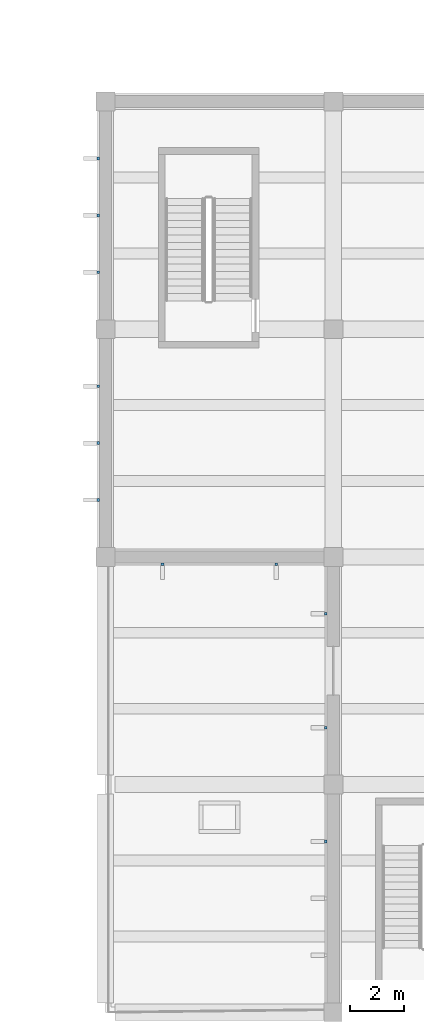
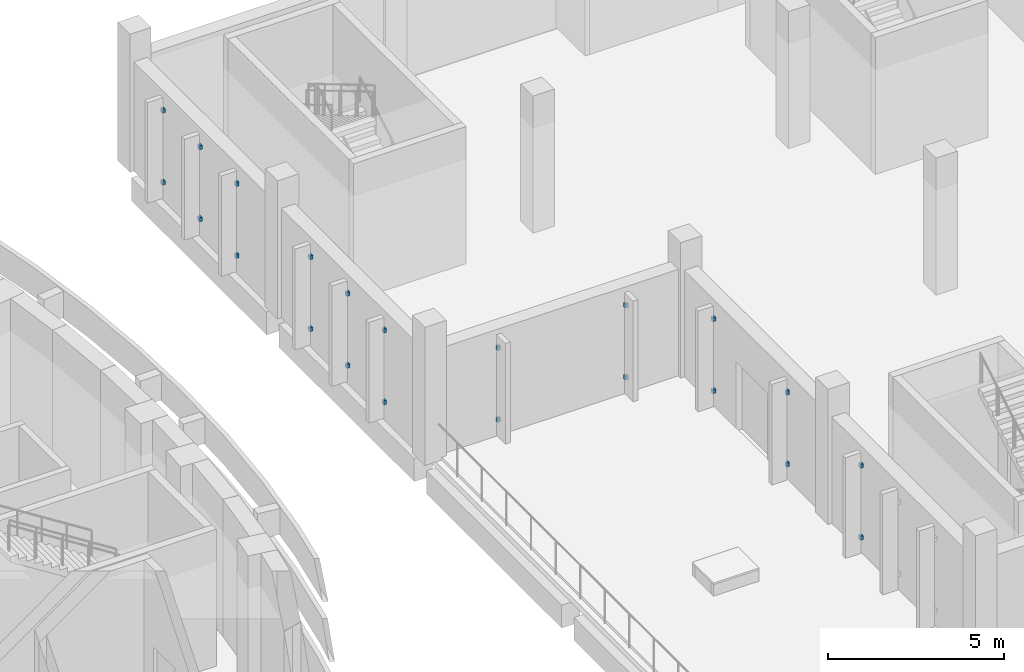
# One storey, part 75 of 103: 22 discrete accessories.
"""IFC4 building model written with IfcOpenShell, lengths in metres."""

from ifc_helpers import new_model, si_unit, direction, frame, origin, origin_2d, place, context, subcontext, project, spatial, rectangle, extrude, material, layer, layer_set, type_object, element, save


model = new_model("IFC4")

# Units and contexts
model_context = context("Model", 3, precision=1e-05, world=origin(), true_north=direction((0.0, 1.0)))
body_context = subcontext(model_context, "Body", "Model", "MODEL_VIEW")
ifc_project = project(units=[si_unit("LENGTHUNIT", "METRE"), si_unit("AREAUNIT", "SQUARE_METRE"), si_unit("VOLUMEUNIT", "CUBIC_METRE"), si_unit("PLANEANGLEUNIT", "RADIAN"), si_unit("MASSUNIT", "GRAM", prefix="KILO")], contexts=[model_context])

# Site, building, storey
site_placement = place(None, origin())
site = spatial("IfcSite", under=ifc_project, at=site_placement, CompositionType="ELEMENT")
building_placement = place(site_placement, origin())
building = spatial("IfcBuilding", under=site, at=building_placement, Name="Larchfold Concert Hall", CompositionType="ELEMENT")
storey_placement = place(building_placement, frame((0.0, 0.0, 9.60009765625)))
storey = spatial("IfcBuildingStorey", under=building, at=storey_placement, Name="L02", CompositionType="ELEMENT", Elevation=9.60009765625)

# Discrete accessories
ifc_material = material(Name="Steel S355 galvanised bracket", Category="steel")
ifc_layer = layer(ifc_material, 0.10009765625)
ifc_layer_set = layer_set([ifc_layer], Name="Steel S355 galvanised bracket")
discrete_accessory_type = type_object("IfcDiscreteAccessoryType", Name="Fin support bracket", PredefinedType="BRACKET", material=ifc_layer_set)
for number, where, z_axis, x_axis, name in (
    (1, (75.925048828125, 95.10009765625, 0.6298828125), (0.0, 0.0, 1.0), (-1.0, 0.0, 0.0), "Fin bracket FN-L02-031-1"),
    (2, (75.925048828125, 95.10009765625, 3.1298828125), (0.0, 0.0, 1.0), (-1.0, 0.0, 0.0), "Fin bracket FN-L02-031-2"),
    (3, (75.925048828125, 97.199951171875, 0.6298828125), (0.0, 0.0, 1.0), (-1.0, 0.0, 0.0), "Fin bracket FN-L02-032-1"),
    (4, (75.925048828125, 97.199951171875, 3.1298828125), (0.0, 0.0, 1.0), (-1.0, 0.0, 0.0), "Fin bracket FN-L02-032-2"),
    (5, (75.925048828125, 99.300048828125, 0.6298828125), (0.0, 0.0, 1.0), (-1.0, 0.0, 0.0), "Fin bracket FN-L02-033-1"),
    (6, (75.925048828125, 99.300048828125, 3.1298828125), (0.0, 0.0, 1.0), (-1.0, 0.0, 0.0), "Fin bracket FN-L02-033-2"),
    (7, (75.925048828125, 86.699951171875, 0.6298828125), (0.0, 0.0, 1.0), (-1.0, 0.0, 0.0), "Fin bracket FN-L02-034-1"),
    (8, (75.925048828125, 86.699951171875, 3.1298828125), (0.0, 0.0, 1.0), (-1.0, 0.0, 0.0), "Fin bracket FN-L02-034-2"),
    (9, (75.925048828125, 88.800048828125, 0.6298828125), (0.0, 0.0, 1.0), (-1.0, 0.0, 0.0), "Fin bracket FN-L02-035-1"),
    (10, (75.925048828125, 88.800048828125, 3.1298828125), (0.0, 0.0, 1.0), (-1.0, 0.0, 0.0), "Fin bracket FN-L02-035-2"),
    (11, (75.925048828125, 90.89990234375, 0.6298828125), (0.0, 0.0, 1.0), (-1.0, 0.0, 0.0), "Fin bracket FN-L02-036-1"),
    (12, (75.925048828125, 90.89990234375, 3.1298828125), (0.0, 0.0, 1.0), (-1.0, 0.0, 0.0), "Fin bracket FN-L02-036-2"),
    (13, (78.300048828125, 84.3251953125, 0.6298828125), (0.0, 0.0, 1.0), (0.0, -1.0, 0.0), "Fin bracket FN-L02-037-1"),
    (14, (78.300048828125, 84.3251953125, 3.1298828125), (0.0, 0.0, 1.0), (0.0, -1.0, 0.0), "Fin bracket FN-L02-037-2"),
    (15, (82.5, 84.3251953125, 0.6298828125), (0.0, 0.0, 1.0), (0.0, -1.0, 0.0), "Fin bracket FN-L02-038-1"),
    (16, (82.5, 84.3251953125, 3.1298828125), (0.0, 0.0, 1.0), (0.0, -1.0, 0.0), "Fin bracket FN-L02-038-2"),
    (17, (84.3251953125, 78.300048828125, 0.6298828125), (0.0, 0.0, 1.0), (-1.0, 0.0, 0.0), "Fin bracket FN-L02-039-1"),
    (18, (84.3251953125, 78.300048828125, 3.1298828125), (0.0, 0.0, 1.0), (-1.0, 0.0, 0.0), "Fin bracket FN-L02-039-2"),
    (19, (84.3251953125, 82.5, 0.6298828125), (0.0, 0.0, 1.0), (-1.0, 0.0, 0.0), "Fin bracket FN-L02-040-1"),
    (20, (84.3251953125, 82.5, 3.1298828125), (0.0, 0.0, 1.0), (-1.0, 0.0, 0.0), "Fin bracket FN-L02-040-2"),
    (21, (84.3251953125, 74.10009765625, 0.6298828125), (0.0, 0.0, 1.0), (-1.0, 0.0, 0.0), "Fin bracket FN-L02-043-1"),
    (22, (84.3251953125, 74.10009765625, 3.1298828125), (0.0, 0.0, 1.0), (-1.0, 0.0, 0.0), "Fin bracket FN-L02-043-2"),
):
    element("IfcDiscreteAccessory", number, at=place(storey_placement, frame(where, z_axis=z_axis, x_axis=x_axis)), inside=storey, type_object=discrete_accessory_type, Name=name, PredefinedType="BRACKET", context=body_context, shape_type="SweptSolid", body=[
        extrude(rectangle(XDim=0.10009765625, YDim=0.10009765625, at=origin_2d()), origin(), (0.0, 0.0, 1.0), 0.139892578125),
    ])

save(model, "model.ifc")
